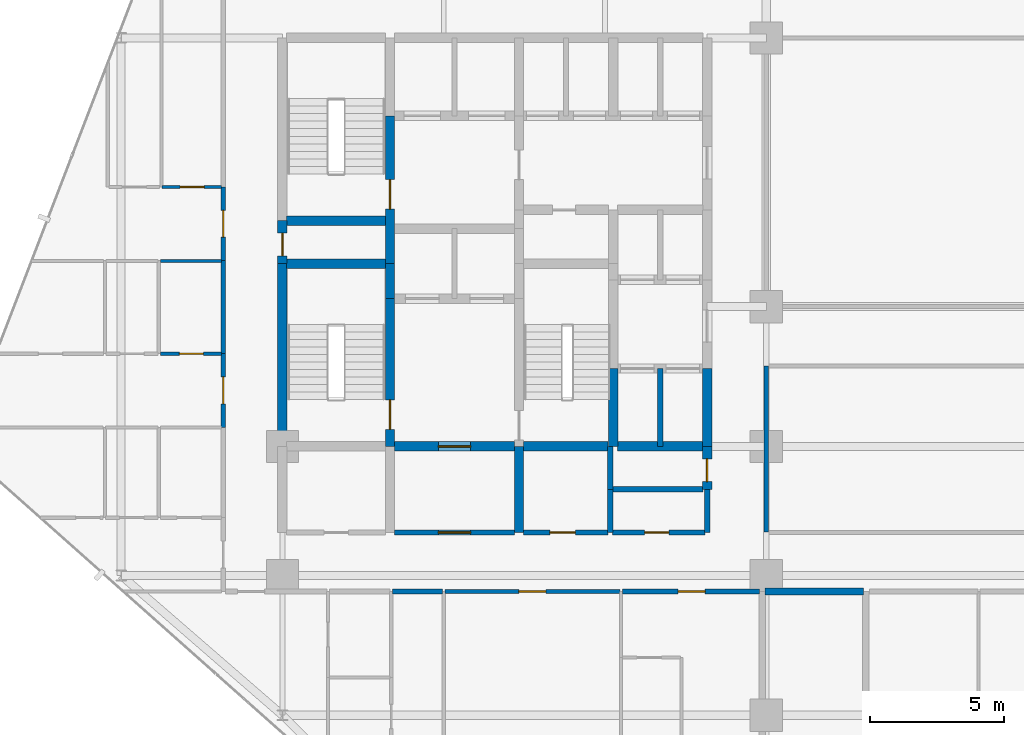
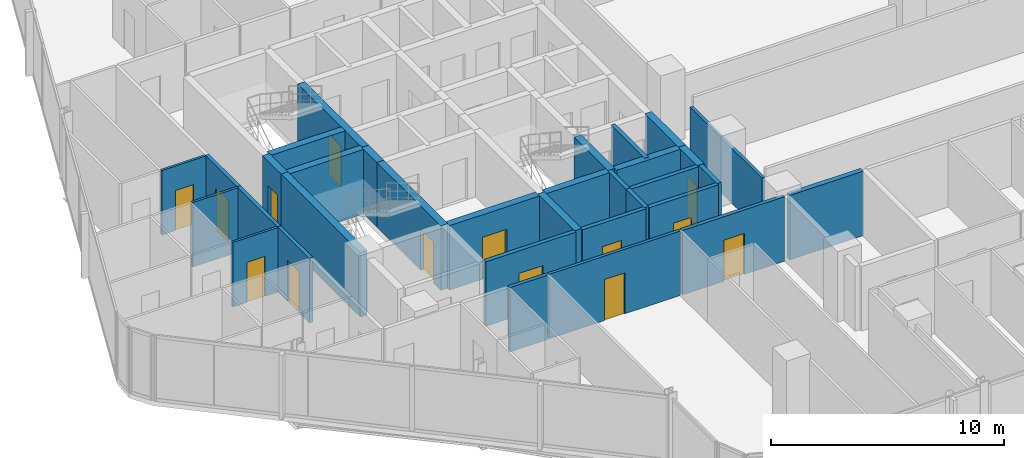
# One storey, part 27 of 34: 33 walls, 14 doors, 14 openings.
"""IFC4 building model written with IfcOpenShell, lengths in metres."""

from ifc_helpers import new_model, si_unit, direction, frame, frame_2d, origin, place, context, subcontext, project, spatial, rectangle, extrude, material, layer, layer_set, type_object, element, fill, save


model = new_model("IFC4")

# Units and contexts
model_context = context("Model", 3, precision=1e-05, world=origin(), true_north=direction((0.0, 1.0)))
body_context = subcontext(model_context, "Body", "Model", "MODEL_VIEW")
ifc_project = project(units=[si_unit("LENGTHUNIT", "METRE"), si_unit("AREAUNIT", "SQUARE_METRE"), si_unit("VOLUMEUNIT", "CUBIC_METRE"), si_unit("PLANEANGLEUNIT", "RADIAN"), si_unit("MASSUNIT", "GRAM", prefix="KILO")], contexts=[model_context])

# Site, building, storey
site_placement = place(None, origin())
site = spatial("IfcSite", under=ifc_project, at=site_placement, CompositionType="ELEMENT")
building_placement = place(site_placement, origin())
building = spatial("IfcBuilding", under=site, at=building_placement, Name="Keshet Zoharim Tower", CompositionType="ELEMENT")
storey_placement = place(building_placement, frame((0.0, 0.0, 53.60009765625)))
storey = spatial("IfcBuildingStorey", under=building, at=storey_placement, Name="L12", CompositionType="ELEMENT", Elevation=53.60009765625)

# Wall
ifc_material_1 = material(Name="Gypsum Plasterboard", Category="gypsum")
ifc_layer_1 = layer(ifc_material_1, 0.14990234375)
ifc_layer_set_1 = layer_set([ifc_layer_1], Name="Gypsum Plasterboard")
wall_type_1 = type_object("IfcWallType", Name="WL-CLIN-150", PredefinedType="STANDARD", material=ifc_layer_set_1)
wall_1_placement = place(storey_placement, frame((33.0, 19.510009765625, 0.0), z_axis=(0.0, 0.0, 1.0), x_axis=(0.0, 1.0, 0.0)))
element("IfcWall", 1, at=wall_1_placement, inside=storey, type_object=wall_type_1, Name="L12 Interior Wall 075", PredefinedType="STANDARD", context=body_context, shape_type="SweptSolid", body=[
    extrude(rectangle(XDim=6.179931640625, YDim=0.14990234375, at=frame_2d((3.08984375, 0.0))), origin(), (0.0, 0.0, 1.0), 2.885009765625),
])

# Wall, opening, door
wall_2_placement = place(storey_placement, frame((21.044921875, 17.300048828125, 0.0), z_axis=(0.0, 0.0, 1.0), x_axis=(1.0, 0.0, 0.0)))
wall_2 = element("IfcWall", 2, at=wall_2_placement, inside=storey, type_object=wall_type_1, Name="L12 Interior Wall 151", PredefinedType="STANDARD", context=body_context, shape_type="SweptSolid", body=[
    extrude(rectangle(XDim=6.510009765625, YDim=0.14990234375, at=frame_2d((3.2548828125, 0.0))), origin(), (0.0, 0.0, 1.0), 3.385009765625),
])
opening_1_placement = place(wall_2_placement, frame((2.7548828125, 0.0, 0.0)))
opening_1 = element("IfcOpeningElement", 3, at=opening_1_placement, cuts=wall_2, Name="Opening D-F310", PredefinedType="OPENING", context=body_context, shape_type="SweptSolid", body=[
    extrude(rectangle(XDim=1.0, YDim=2.14990234375, at=frame_2d((0.5, 1.074951171875))), frame((0.0, 0.0849609375, 0.0), z_axis=(0.0, -1.0, 0.0), x_axis=(1.0, 0.0, 0.0)), (0.0, 0.0, 1.0), 0.169921875),
])
ifc_material_2 = material(Name="Hardwood Timber", Category="wood")
door_type_1 = type_object("IfcDoorType", Name="DR-FD30-100", OperationType="NOTDEFINED", PredefinedType="DOOR", material=ifc_material_2)
door_1_placement = place(opening_1_placement, origin())
door_1 = element("IfcDoor", 4, at=door_1_placement, inside=storey, type_object=door_type_1, Name="L12 Floor Children Playroom Door", OperationType="SINGLE_SWING_RIGHT", OverallHeight=2.14990234375, OverallWidth=1.0, PredefinedType="DOOR", context=body_context, shape_type="SweptSolid", body=[
    extrude(rectangle(XDim=1.0, YDim=2.14990234375, at=frame_2d((0.5, 1.074951171875))), frame((0.0, 0.02490234375, 0.0), z_axis=(0.0, -1.0, 0.0), x_axis=(1.0, 0.0, 0.0)), (0.0, 0.0, 1.0), 0.050048828125),
])
fill(opening_1, door_1)

# Wall
ifc_material_3 = material(Name="Concrete C60/75", Category="concrete")
ifc_layer_2 = layer(ifc_material_3, 0.35009765625)
ifc_layer_set_2 = layer_set([ifc_layer_2], Name="Concrete C60/75")
wall_type_2 = type_object("IfcWallType", Name="WL-CORE-350", PredefinedType="SHEAR", material=ifc_layer_set_2)
wall_3_placement = place(storey_placement, frame((15.0, 22.699951171875, 0.0), z_axis=(0.0, 0.0, 1.0), x_axis=(0.0, 1.0, 0.0)))
element("IfcWall", 5, at=wall_3_placement, inside=storey, type_object=wall_type_2, Name="L12 Core Shear Wall 014", PredefinedType="SHEAR", context=body_context, shape_type="SweptSolid", body=[
    extrude(rectangle(XDim=6.800048828125, YDim=0.35009765625, at=frame_2d((3.39990234375, 0.0))), origin(), (0.0, 0.0, 1.0), 3.385009765625),
])

# Wall, opening, door
wall_4_placement = place(storey_placement, frame((15.0, 29.5, 0.0), z_axis=(0.0, 0.0, 1.0), x_axis=(0.0, 1.0, 0.0)))
wall_4 = element("IfcWall", 6, at=wall_4_placement, inside=storey, type_object=wall_type_2, Name="L12 Core Shear Wall 015", PredefinedType="SHEAR", context=body_context, shape_type="SweptSolid", body=[
    extrude(rectangle(XDim=1.60009765625, YDim=0.35009765625, at=frame_2d((0.800048828125, 0.0))), origin(), (0.0, 0.0, 1.0), 3.385009765625),
])
opening_2_placement = place(wall_4_placement, frame((0.287109375, 0.0, 0.0)))
opening_2 = element("IfcOpeningElement", 7, at=opening_2_placement, cuts=wall_4, Name="Opening D-RS85", PredefinedType="OPENING", context=body_context, shape_type="SweptSolid", body=[
    extrude(rectangle(XDim=0.85009765625, YDim=2.10009765625, at=frame_2d((0.425048828125, 1.050048828125))), frame((0.0, 0.18505859375, 0.0), z_axis=(0.0, -1.0, 0.0), x_axis=(1.0, 0.0, 0.0)), (0.0, 0.0, 1.0), 0.3701171875),
])
door_type_2 = type_object("IfcDoorType", Name="DR-RIS-085", OperationType="NOTDEFINED", PredefinedType="DOOR", material=ifc_material_2)
door_2_placement = place(opening_2_placement, origin())
door_2 = element("IfcDoor", 8, at=door_2_placement, inside=storey, type_object=door_type_2, Name="L12 Electrical Riser Access Cupboard Door", OperationType="SINGLE_SWING_RIGHT", OverallHeight=2.10009765625, OverallWidth=0.85009765625, PredefinedType="DOOR", context=body_context, shape_type="SweptSolid", body=[
    extrude(rectangle(XDim=0.85009765625, YDim=2.10009765625, at=frame_2d((0.425048828125, 1.050048828125))), frame((0.0, 0.02490234375, 0.0), z_axis=(0.0, -1.0, 0.0), x_axis=(1.0, 0.0, 0.0)), (0.0, 0.0, 1.0), 0.050048828125),
])
fill(opening_2, door_2)

wall_5_placement = place(storey_placement, frame((19.0, 22.699951171875, 0.0), z_axis=(0.0, 0.0, 1.0), x_axis=(0.0, 1.0, 0.0)))
wall_5 = element("IfcWall", 9, at=wall_5_placement, inside=storey, type_object=wall_type_2, Name="L12 Core Shear Wall 024", PredefinedType="SHEAR", context=body_context, shape_type="SweptSolid", body=[
    extrude(rectangle(XDim=5.5, YDim=0.35009765625, at=frame_2d((2.75, 0.0))), origin(), (0.0, 0.0, 1.0), 3.385009765625),
])
opening_3_placement = place(wall_5_placement, frame((0.631103515625, 0.0, 0.0)))
opening_3 = element("IfcOpeningElement", 10, at=opening_3_placement, cuts=wall_5, Name="Opening D-F611", PredefinedType="OPENING", context=body_context, shape_type="SweptSolid", body=[
    extrude(rectangle(XDim=1.10009765625, YDim=2.14990234375, at=frame_2d((0.550048828125, 1.074951171875))), frame((0.0, 0.18505859375, 0.0), z_axis=(0.0, -1.0, 0.0), x_axis=(1.0, 0.0, 0.0)), (0.0, 0.0, 1.0), 0.3701171875),
])
door_type_3 = type_object("IfcDoorType", Name="DR-FD60-110", OperationType="NOTDEFINED", PredefinedType="DOOR", material=ifc_material_2)
door_3_placement = place(opening_3_placement, origin())
door_3 = element("IfcDoor", 11, at=door_3_placement, inside=storey, type_object=door_type_3, Name="L12 Exit Stair ST-01 Fire Door", OperationType="SINGLE_SWING_RIGHT", OverallHeight=2.14990234375, OverallWidth=1.10009765625, PredefinedType="DOOR", context=body_context, shape_type="SweptSolid", body=[
    extrude(rectangle(XDim=1.10009765625, YDim=2.14990234375, at=frame_2d((0.550048828125, 1.074951171875))), frame((0.0, 0.02490234375, 0.0), z_axis=(0.0, -1.0, 0.0), x_axis=(1.0, 0.0, 0.0)), (0.0, 0.0, 1.0), 0.050048828125),
])
fill(opening_3, door_3)

# Wall
wall_6_placement = place(storey_placement, frame((19.0, 28.199951171875, 0.0), z_axis=(0.0, 0.0, 1.0), x_axis=(0.0, 1.0, 0.0)))
element("IfcWall", 12, at=wall_6_placement, inside=storey, type_object=wall_type_2, Name="L12 Core Shear Wall 025", PredefinedType="SHEAR", context=body_context, shape_type="SweptSolid", body=[
    extrude(rectangle(XDim=1.300048828125, YDim=0.35009765625, at=frame_2d((0.64990234375, 0.0))), origin(), (0.0, 0.0, 1.0), 3.385009765625),
])

# Wall, opening, door
wall_7_placement = place(storey_placement, frame((19.0, 29.5, 0.0), z_axis=(0.0, 0.0, 1.0), x_axis=(0.0, 1.0, 0.0)))
wall_7 = element("IfcWall", 13, at=wall_7_placement, inside=storey, type_object=wall_type_2, Name="L12 Core Shear Wall 026", PredefinedType="SHEAR", context=body_context, shape_type="SweptSolid", body=[
    extrude(rectangle(XDim=5.5, YDim=0.35009765625, at=frame_2d((2.75, 0.0))), origin(), (0.0, 0.0, 1.0), 3.385009765625),
])
opening_4_placement = place(wall_7_placement, frame((2.02490234375, 0.0, 0.0)))
opening_4 = element("IfcOpeningElement", 14, at=opening_4_placement, cuts=wall_7, Name="Opening D-F611", PredefinedType="OPENING", context=body_context, shape_type="SweptSolid", body=[
    extrude(rectangle(XDim=1.10009765625, YDim=2.14990234375, at=frame_2d((0.550048828125, 1.074951171875))), frame((0.0, 0.18505859375, 0.0), z_axis=(0.0, -1.0, 0.0), x_axis=(1.0, 0.0, 0.0)), (0.0, 0.0, 1.0), 0.3701171875),
])
door_4_placement = place(opening_4_placement, origin())
door_4 = element("IfcDoor", 15, at=door_4_placement, inside=storey, type_object=door_type_3, Name="L12 Exit Stair ST-02 Fire Door", OperationType="SINGLE_SWING_LEFT", OverallHeight=2.14990234375, OverallWidth=1.10009765625, PredefinedType="DOOR", context=body_context, shape_type="SweptSolid", body=[
    extrude(rectangle(XDim=1.10009765625, YDim=2.14990234375, at=frame_2d((0.550048828125, 1.074951171875))), frame((0.0, 0.02490234375, 0.0), z_axis=(0.0, -1.0, 0.0), x_axis=(1.0, 0.0, 0.0)), (0.0, 0.0, 1.0), 0.050048828125),
])
fill(opening_4, door_4)

# Walls
wall_8_placement = place(storey_placement, frame((23.800048828125, 19.5, 0.0), z_axis=(0.0, 0.0, 1.0), x_axis=(0.0, 1.0, 0.0)))
element("IfcWall", 16, at=wall_8_placement, inside=storey, type_object=wall_type_2, Name="L12 Core Shear Wall 034", PredefinedType="SHEAR", context=body_context, shape_type="SweptSolid", body=[
    extrude(rectangle(XDim=3.199951171875, YDim=0.35009765625, at=frame_2d((1.60009765625, 0.0))), origin(), (0.0, 0.0, 1.0), 3.385009765625),
])
wall_9_placement = place(storey_placement, frame((27.300048828125, 22.699951171875, 0.0), z_axis=(0.0, 0.0, 1.0), x_axis=(0.0, 1.0, 0.0)))
element("IfcWall", 17, at=wall_9_placement, inside=storey, type_object=wall_type_2, Name="L12 Core Shear Wall 047", PredefinedType="SHEAR", context=body_context, shape_type="SweptSolid", body=[
    extrude(rectangle(XDim=2.900146484375, YDim=0.35009765625, at=frame_2d((1.4501953125, 0.0))), origin(), (0.0, 0.0, 1.0), 3.385009765625),
])

# Wall, opening, door
wall_10_placement = place(storey_placement, frame((30.800048828125, 21.10009765625, 0.0), z_axis=(0.0, 0.0, 1.0), x_axis=(0.0, 1.0, 0.0)))
wall_10 = element("IfcWall", 18, at=wall_10_placement, inside=storey, type_object=wall_type_2, Name="L12 Core Shear Wall 061", PredefinedType="SHEAR", context=body_context, shape_type="SweptSolid", body=[
    extrude(rectangle(XDim=1.599853515625, YDim=0.35009765625, at=frame_2d((0.7998046875, 0.0))), origin(), (0.0, 0.0, 1.0), 3.385009765625),
])
opening_5_placement = place(wall_10_placement, frame((0.287109375, 0.0, 0.0)))
opening_5 = element("IfcOpeningElement", 19, at=opening_5_placement, cuts=wall_10, Name="Opening D-RS85", PredefinedType="OPENING", context=body_context, shape_type="SweptSolid", body=[
    extrude(rectangle(XDim=0.85009765625, YDim=2.10009765625, at=frame_2d((0.425048828125, 1.050048828125))), frame((0.0, 0.18505859375, 0.0), z_axis=(0.0, -1.0, 0.0), x_axis=(1.0, 0.0, 0.0)), (0.0, 0.0, 1.0), 0.3701171875),
])
door_5_placement = place(opening_5_placement, origin())
door_5 = element("IfcDoor", 20, at=door_5_placement, inside=storey, type_object=door_type_2, Name="L12 Linen Store Door", OperationType="SINGLE_SWING_LEFT", OverallHeight=2.10009765625, OverallWidth=0.85009765625, PredefinedType="DOOR", context=body_context, shape_type="SweptSolid", body=[
    extrude(rectangle(XDim=0.85009765625, YDim=2.10009765625, at=frame_2d((0.425048828125, 1.050048828125))), frame((0.0, 0.02490234375, 0.0), z_axis=(0.0, -1.0, 0.0), x_axis=(1.0, 0.0, 0.0)), (0.0, 0.0, 1.0), 0.050048828125),
])
fill(opening_5, door_5)

# Wall
wall_11_placement = place(storey_placement, frame((30.800048828125, 22.699951171875, 0.0), z_axis=(0.0, 0.0, 1.0), x_axis=(0.0, 1.0, 0.0)))
element("IfcWall", 21, at=wall_11_placement, inside=storey, type_object=wall_type_2, Name="L12 Core Shear Wall 062", PredefinedType="SHEAR", context=body_context, shape_type="SweptSolid", body=[
    extrude(rectangle(XDim=2.900146484375, YDim=0.35009765625, at=frame_2d((1.4501953125, 0.0))), origin(), (0.0, 0.0, 1.0), 3.385009765625),
])

# Wall, opening, door
wall_12_placement = place(storey_placement, frame((19.159912109375, 22.699951171875, 0.0), z_axis=(0.0, 0.0, 1.0), x_axis=(1.0, 0.0, 0.0)))
wall_12 = element("IfcWall", 22, at=wall_12_placement, inside=storey, type_object=wall_type_2, Name="L12 Core Shear Wall 175", PredefinedType="SHEAR", context=body_context, shape_type="SweptSolid", body=[
    extrude(rectangle(XDim=4.47998046875, YDim=0.35009765625, at=frame_2d((2.239990234375, 0.0))), origin(), (0.0, 0.0, 1.0), 3.385009765625),
])
opening_6_placement = place(wall_12_placement, frame((1.639892578125, 0.0, 0.0)))
opening_6 = element("IfcOpeningElement", 23, at=opening_6_placement, cuts=wall_12, Name="Opening D-F612", PredefinedType="OPENING", context=body_context, shape_type="SweptSolid", body=[
    extrude(rectangle(XDim=1.199951171875, YDim=2.199951171875, at=frame_2d((0.60009765625, 1.10009765625))), frame((0.0, 0.18505859375, 0.0), z_axis=(0.0, -1.0, 0.0), x_axis=(1.0, 0.0, 0.0)), (0.0, 0.0, 1.0), 0.3701171875),
])
door_type_4 = type_object("IfcDoorType", Name="DR-FD60-120", OperationType="NOTDEFINED", PredefinedType="DOOR", material=ifc_material_2)
door_6_placement = place(opening_6_placement, origin())
door_6 = element("IfcDoor", 24, at=door_6_placement, inside=storey, type_object=door_type_4, Name="L12 South Core Lobby Fire Door", OperationType="SINGLE_SWING_RIGHT", OverallHeight=2.199951171875, OverallWidth=1.199951171875, PredefinedType="DOOR", context=body_context, shape_type="SweptSolid", body=[
    extrude(rectangle(XDim=1.199951171875, YDim=2.199951171875, at=frame_2d((0.60009765625, 1.10009765625))), frame((0.0, 0.02490234375, 0.0), z_axis=(0.0, -1.0, 0.0), x_axis=(1.0, 0.0, 0.0)), (0.0, 0.0, 1.0), 0.050048828125),
])
fill(opening_6, door_6)

# Walls
wall_13_placement = place(storey_placement, frame((23.9599609375, 22.699951171875, 0.0), z_axis=(0.0, 0.0, 1.0), x_axis=(1.0, 0.0, 0.0)))
element("IfcWall", 25, at=wall_13_placement, inside=storey, type_object=wall_type_2, Name="L12 Core Shear Wall 176", PredefinedType="SHEAR", context=body_context, shape_type="SweptSolid", body=[
    extrude(rectangle(XDim=3.155029296875, YDim=0.35009765625, at=frame_2d((1.57763671875, 0.0))), origin(), (0.0, 0.0, 1.0), 3.385009765625),
])
wall_14_placement = place(storey_placement, frame((27.4599609375, 22.699951171875, 0.0), z_axis=(0.0, 0.0, 1.0), x_axis=(1.0, 0.0, 0.0)))
element("IfcWall", 26, at=wall_14_placement, inside=storey, type_object=wall_type_2, Name="L12 Core Shear Wall 177", PredefinedType="SHEAR", context=body_context, shape_type="SweptSolid", body=[
    extrude(rectangle(XDim=3.179931640625, YDim=0.35009765625, at=frame_2d((1.58984375, 0.0))), origin(), (0.0, 0.0, 1.0), 3.385009765625),
])
for number, where, z_axis, x_axis, name in (
    (27, (15.159912109375, 29.5, 0.0), (0.0, 0.0, 1.0), (1.0, 0.0, 0.0), "L12 Core Shear Wall 189"),
    (28, (15.159912109375, 31.10009765625, 0.0), (0.0, 0.0, 1.0), (1.0, 0.0, 0.0), "L12 Core Shear Wall 195"),
):
    element("IfcWall", number, at=place(storey_placement, frame(where, z_axis=z_axis, x_axis=x_axis)), inside=storey, type_object=wall_type_2, Name=name, PredefinedType="SHEAR", context=body_context, shape_type="SweptSolid", body=[
        extrude(rectangle(XDim=3.68017578125, YDim=0.35009765625, at=frame_2d((1.840087890625, 0.0))), origin(), (0.0, 0.0, 1.0), 3.385009765625),
    ])

# Wall, opening, door
ifc_layer_3 = layer(ifc_material_1, 0.179931640625)
ifc_layer_set_3 = layer_set([ifc_layer_3], Name="Gypsum Plasterboard")
wall_type_3 = type_object("IfcWallType", Name="WL-CORR-180", PredefinedType="STANDARD", material=ifc_layer_set_3)
wall_15_placement = place(storey_placement, frame((12.800048828125, 23.409912109375, 0.0), z_axis=(0.0, 0.0, 1.0), x_axis=(0.0, 1.0, 0.0)))
wall_15 = element("IfcWall", 29, at=wall_15_placement, inside=storey, type_object=wall_type_3, Name="L12 Interior Wall 009", PredefinedType="STANDARD", context=body_context, shape_type="SweptSolid", body=[
    extrude(rectangle(XDim=2.75, YDim=0.179931640625, at=frame_2d((1.375, 0.0))), origin(), (0.0, 0.0, 1.0), 3.385009765625),
])
opening_7_placement = place(wall_15_placement, frame((0.875, 0.0, 0.0)))
opening_7 = element("IfcOpeningElement", 30, at=opening_7_placement, cuts=wall_15, Name="Opening D-F310", PredefinedType="OPENING", context=body_context, shape_type="SweptSolid", body=[
    extrude(rectangle(XDim=1.0, YDim=2.14990234375, at=frame_2d((0.5, 1.074951171875))), frame((0.0, 0.10009765625, 0.0), z_axis=(0.0, -1.0, 0.0), x_axis=(1.0, 0.0, 0.0)), (0.0, 0.0, 1.0), 0.199951171875),
])
door_7_placement = place(opening_7_placement, origin())
door_7 = element("IfcDoor", 31, at=door_7_placement, inside=storey, type_object=door_type_1, Name="Apartment 1210 Entrance Door", OperationType="SINGLE_SWING_RIGHT", OverallHeight=2.14990234375, OverallWidth=1.0, PredefinedType="DOOR", context=body_context, shape_type="SweptSolid", body=[
    extrude(rectangle(XDim=1.0, YDim=2.14990234375, at=frame_2d((0.5, 1.074951171875))), frame((0.0, 0.02490234375, 0.0), z_axis=(0.0, -1.0, 0.0), x_axis=(1.0, 0.0, 0.0)), (0.0, 0.0, 1.0), 0.050048828125),
])
fill(opening_7, door_7)

# Wall
wall_16_placement = place(storey_placement, frame((12.800048828125, 26.159912109375, 0.0), z_axis=(0.0, 0.0, 1.0), x_axis=(0.0, 1.0, 0.0)))
element("IfcWall", 32, at=wall_16_placement, inside=storey, type_object=wall_type_3, Name="L12 Interior Wall 010", PredefinedType="STANDARD", context=body_context, shape_type="SweptSolid", body=[
    extrude(rectangle(XDim=3.4501953125, YDim=0.179931640625, at=frame_2d((1.72509765625, 0.0))), origin(), (0.0, 0.0, 1.0), 3.385009765625),
])

# Wall, opening, door
wall_17_placement = place(storey_placement, frame((12.800048828125, 29.610107421875, 0.0), z_axis=(0.0, 0.0, 1.0), x_axis=(0.0, 1.0, 0.0)))
wall_17 = element("IfcWall", 33, at=wall_17_placement, inside=storey, type_object=wall_type_3, Name="L12 Interior Wall 011", PredefinedType="STANDARD", context=body_context, shape_type="SweptSolid", body=[
    extrude(rectangle(XDim=2.75, YDim=0.179931640625, at=frame_2d((1.375, 0.0))), origin(), (0.0, 0.0, 1.0), 3.385009765625),
])
opening_8_placement = place(wall_17_placement, frame((0.875, 0.0, 0.0)))
opening_8 = element("IfcOpeningElement", 34, at=opening_8_placement, cuts=wall_17, Name="Opening D-F310", PredefinedType="OPENING", context=body_context, shape_type="SweptSolid", body=[
    extrude(rectangle(XDim=1.0, YDim=2.14990234375, at=frame_2d((0.5, 1.074951171875))), frame((0.0, 0.10009765625, 0.0), z_axis=(0.0, -1.0, 0.0), x_axis=(1.0, 0.0, 0.0)), (0.0, 0.0, 1.0), 0.199951171875),
])
door_8_placement = place(opening_8_placement, origin())
door_8 = element("IfcDoor", 35, at=door_8_placement, inside=storey, type_object=door_type_1, Name="Apartment 1211 Entrance Door", OperationType="SINGLE_SWING_LEFT", OverallHeight=2.14990234375, OverallWidth=1.0, PredefinedType="DOOR", context=body_context, shape_type="SweptSolid", body=[
    extrude(rectangle(XDim=1.0, YDim=2.14990234375, at=frame_2d((0.5, 1.074951171875))), frame((0.0, 0.02490234375, 0.0), z_axis=(0.0, -1.0, 0.0), x_axis=(1.0, 0.0, 0.0)), (0.0, 0.0, 1.0), 0.050048828125),
])
fill(opening_8, door_8)

# Wall
wall_18_placement = place(storey_placement, frame((19.094970703125, 17.300048828125, 0.0), z_axis=(0.0, 0.0, 1.0), x_axis=(1.0, 0.0, 0.0)))
element("IfcWall", 36, at=wall_18_placement, inside=storey, type_object=wall_type_3, Name="L12 Interior Wall 150", PredefinedType="STANDARD", context=body_context, shape_type="SweptSolid", body=[
    extrude(rectangle(XDim=1.860107421875, YDim=0.179931640625, at=frame_2d((0.93017578125, 0.0))), origin(), (0.0, 0.0, 1.0), 3.385009765625),
])

# Wall, opening, door
wall_19_placement = place(storey_placement, frame((27.64501953125, 17.300048828125, 0.0), z_axis=(0.0, 0.0, 1.0), x_axis=(1.0, 0.0, 0.0)))
wall_19 = element("IfcWall", 37, at=wall_19_placement, inside=storey, type_object=wall_type_3, Name="L12 Interior Wall 152", PredefinedType="STANDARD", context=body_context, shape_type="SweptSolid", body=[
    extrude(rectangle(XDim=5.094970703125, YDim=0.179931640625, at=frame_2d((2.54736328125, 0.0))), origin(), (0.0, 0.0, 1.0), 3.385009765625),
])
opening_9_placement = place(wall_19_placement, frame((2.080078125, 0.0, 0.0)))
opening_9 = element("IfcOpeningElement", 38, at=opening_9_placement, cuts=wall_19, Name="Opening D-F310", PredefinedType="OPENING", context=body_context, shape_type="SweptSolid", body=[
    extrude(rectangle(XDim=1.0, YDim=2.14990234375, at=frame_2d((0.5, 1.074951171875))), frame((0.0, 0.10009765625, 0.0), z_axis=(0.0, -1.0, 0.0), x_axis=(1.0, 0.0, 0.0)), (0.0, 0.0, 1.0), 0.199951171875),
])
door_9_placement = place(opening_9_placement, origin())
door_9 = element("IfcDoor", 39, at=door_9_placement, inside=storey, type_object=door_type_1, Name="Apartment 1202 Entrance Door", OperationType="SINGLE_SWING_LEFT", OverallHeight=2.14990234375, OverallWidth=1.0, PredefinedType="DOOR", context=body_context, shape_type="SweptSolid", body=[
    extrude(rectangle(XDim=1.0, YDim=2.14990234375, at=frame_2d((0.5, 1.074951171875))), frame((0.0, 0.02490234375, 0.0), z_axis=(0.0, -1.0, 0.0), x_axis=(1.0, 0.0, 0.0)), (0.0, 0.0, 1.0), 0.050048828125),
])
fill(opening_9, door_9)

# Walls
ifc_material_4 = material(Name="Concrete C50/60", Category="concrete")
ifc_layer_4 = layer(ifc_material_4, 0.199951171875)
ifc_layer_set_4 = layer_set([ifc_layer_4], Name="Concrete C50/60")
wall_type_4 = type_object("IfcWallType", Name="WL-FIRE-200", PredefinedType="STANDARD", material=ifc_layer_set_4)
wall_20_placement = place(storey_placement, frame((27.199951171875, 19.5, 0.0), z_axis=(0.0, 0.0, 1.0), x_axis=(0.0, 1.0, 0.0)))
element("IfcWall", 40, at=wall_20_placement, inside=storey, type_object=wall_type_4, Name="L12 Interior Wall 045", PredefinedType="STANDARD", context=body_context, shape_type="SweptSolid", body=[
    extrude(rectangle(XDim=1.60009765625, YDim=0.199951171875, at=frame_2d((0.800048828125, 0.0))), origin(), (0.0, 0.0, 1.0), 3.385009765625),
])
wall_21_placement = place(storey_placement, frame((27.199951171875, 21.10009765625, 0.0), z_axis=(0.0, 0.0, 1.0), x_axis=(0.0, 1.0, 0.0)))
element("IfcWall", 41, at=wall_21_placement, inside=storey, type_object=wall_type_4, Name="L12 Interior Wall 046", PredefinedType="STANDARD", context=body_context, shape_type="SweptSolid", body=[
    extrude(rectangle(XDim=1.599853515625, YDim=0.199951171875, at=frame_2d((0.7998046875, 0.0))), origin(), (0.0, 0.0, 1.0), 3.385009765625),
])
wall_22_placement = place(storey_placement, frame((29.050048828125, 22.699951171875, 0.0), z_axis=(0.0, 0.0, 1.0), x_axis=(0.0, 1.0, 0.0)))
element("IfcWall", 42, at=wall_22_placement, inside=storey, type_object=wall_type_4, Name="L12 Interior Wall 055", PredefinedType="STANDARD", context=body_context, shape_type="SweptSolid", body=[
    extrude(rectangle(XDim=2.900146484375, YDim=0.199951171875, at=frame_2d((1.4501953125, 0.0))), origin(), (0.0, 0.0, 1.0), 3.385009765625),
])
wall_23_placement = place(storey_placement, frame((30.800048828125, 19.5, 0.0), z_axis=(0.0, 0.0, 1.0), x_axis=(0.0, 1.0, 0.0)))
element("IfcWall", 43, at=wall_23_placement, inside=storey, type_object=wall_type_4, Name="L12 Interior Wall 060", PredefinedType="STANDARD", context=body_context, shape_type="SweptSolid", body=[
    extrude(rectangle(XDim=1.60009765625, YDim=0.199951171875, at=frame_2d((0.800048828125, 0.0))), origin(), (0.0, 0.0, 1.0), 3.385009765625),
])

# Wall, opening, door
wall_24_placement = place(storey_placement, frame((19.159912109375, 19.5, 0.0), z_axis=(0.0, 0.0, 1.0), x_axis=(1.0, 0.0, 0.0)))
wall_24 = element("IfcWall", 44, at=wall_24_placement, inside=storey, type_object=wall_type_4, Name="L12 Interior Wall 166", PredefinedType="STANDARD", context=body_context, shape_type="SweptSolid", body=[
    extrude(rectangle(XDim=4.47998046875, YDim=0.199951171875, at=frame_2d((2.239990234375, 0.0))), origin(), (0.0, 0.0, 1.0), 3.385009765625),
])
opening_10_placement = place(wall_24_placement, frame((1.639892578125, 0.0, 0.0)))
opening_10 = element("IfcOpeningElement", 45, at=opening_10_placement, cuts=wall_24, Name="Opening D-F612", PredefinedType="OPENING", context=body_context, shape_type="SweptSolid", body=[
    extrude(rectangle(XDim=1.199951171875, YDim=2.199951171875, at=frame_2d((0.60009765625, 1.10009765625))), frame((0.0, 0.10986328125, 0.0), z_axis=(0.0, -1.0, 0.0), x_axis=(1.0, 0.0, 0.0)), (0.0, 0.0, 1.0), 0.219970703125),
])
door_10_placement = place(opening_10_placement, origin())
door_10 = element("IfcDoor", 46, at=door_10_placement, inside=storey, type_object=door_type_4, Name="L12 South Vestibule Corridor Door", OperationType="SINGLE_SWING_LEFT", OverallHeight=2.199951171875, OverallWidth=1.199951171875, PredefinedType="DOOR", context=body_context, shape_type="SweptSolid", body=[
    extrude(rectangle(XDim=1.199951171875, YDim=2.199951171875, at=frame_2d((0.60009765625, 1.10009765625))), frame((0.0, 0.02490234375, 0.0), z_axis=(0.0, -1.0, 0.0), x_axis=(1.0, 0.0, 0.0)), (0.0, 0.0, 1.0), 0.050048828125),
])
fill(opening_10, door_10)

wall_25_placement = place(storey_placement, frame((23.9599609375, 19.5, 0.0), z_axis=(0.0, 0.0, 1.0), x_axis=(1.0, 0.0, 0.0)))
wall_25 = element("IfcWall", 47, at=wall_25_placement, inside=storey, type_object=wall_type_4, Name="L12 Interior Wall 167", PredefinedType="STANDARD", context=body_context, shape_type="SweptSolid", body=[
    extrude(rectangle(XDim=3.155029296875, YDim=0.199951171875, at=frame_2d((1.57763671875, 0.0))), origin(), (0.0, 0.0, 1.0), 3.385009765625),
])
opening_11_placement = place(wall_25_placement, frame((0.990966796875, 0.0, 0.0)))
opening_11 = element("IfcOpeningElement", 48, at=opening_11_placement, cuts=wall_25, Name="Opening D-F695", PredefinedType="OPENING", context=body_context, shape_type="SweptSolid", body=[
    extrude(rectangle(XDim=0.949951171875, YDim=2.14990234375, at=frame_2d((0.47509765625, 1.074951171875))), frame((0.0, 0.10986328125, 0.0), z_axis=(0.0, -1.0, 0.0), x_axis=(1.0, 0.0, 0.0)), (0.0, 0.0, 1.0), 0.219970703125),
])
door_type_5 = type_object("IfcDoorType", Name="DR-FD60-095", OperationType="NOTDEFINED", PredefinedType="DOOR", material=ifc_material_2)
door_11_placement = place(opening_11_placement, origin())
door_11 = element("IfcDoor", 49, at=door_11_placement, inside=storey, type_object=door_type_5, Name="L12 Utility Room Door", OperationType="SINGLE_SWING_RIGHT", OverallHeight=2.14990234375, OverallWidth=0.949951171875, PredefinedType="DOOR", context=body_context, shape_type="SweptSolid", body=[
    extrude(rectangle(XDim=0.949951171875, YDim=2.14990234375, at=frame_2d((0.47509765625, 1.074951171875))), frame((0.0, 0.02490234375, 0.0), z_axis=(0.0, -1.0, 0.0), x_axis=(1.0, 0.0, 0.0)), (0.0, 0.0, 1.0), 0.050048828125),
])
fill(opening_11, door_11)

wall_26_placement = place(storey_placement, frame((27.284912109375, 19.5, 0.0), z_axis=(0.0, 0.0, 1.0), x_axis=(1.0, 0.0, 0.0)))
wall_26 = element("IfcWall", 50, at=wall_26_placement, inside=storey, type_object=wall_type_4, Name="L12 Interior Wall 168", PredefinedType="STANDARD", context=body_context, shape_type="SweptSolid", body=[
    extrude(rectangle(XDim=3.43017578125, YDim=0.199951171875, at=frame_2d((1.715087890625, 0.0))), origin(), (0.0, 0.0, 1.0), 3.385009765625),
])
opening_12_placement = place(wall_26_placement, frame((1.19189453125, 0.0, 0.0)))
opening_12 = element("IfcOpeningElement", 51, at=opening_12_placement, cuts=wall_26, Name="Opening D-F690", PredefinedType="OPENING", context=body_context, shape_type="SweptSolid", body=[
    extrude(rectangle(XDim=0.89990234375, YDim=2.14990234375, at=frame_2d((0.449951171875, 1.074951171875))), frame((0.0, 0.10986328125, 0.0), z_axis=(0.0, -1.0, 0.0), x_axis=(1.0, 0.0, 0.0)), (0.0, 0.0, 1.0), 0.219970703125),
])
door_type_6 = type_object("IfcDoorType", Name="DR-FD60-090", OperationType="NOTDEFINED", PredefinedType="DOOR", material=ifc_material_2)
door_12_placement = place(opening_12_placement, origin())
door_12 = element("IfcDoor", 52, at=door_12_placement, inside=storey, type_object=door_type_6, Name="L12 Valve Room Door", OperationType="SINGLE_SWING_LEFT", OverallHeight=2.14990234375, OverallWidth=0.89990234375, PredefinedType="DOOR", context=body_context, shape_type="SweptSolid", body=[
    extrude(rectangle(XDim=0.89990234375, YDim=2.14990234375, at=frame_2d((0.449951171875, 1.074951171875))), frame((0.0, 0.02490234375, 0.0), z_axis=(0.0, -1.0, 0.0), x_axis=(1.0, 0.0, 0.0)), (0.0, 0.0, 1.0), 0.050048828125),
])
fill(opening_12, door_12)

# Walls
wall_27_placement = place(storey_placement, frame((27.284912109375, 21.10009765625, 0.0), z_axis=(0.0, 0.0, 1.0), x_axis=(1.0, 0.0, 0.0)))
element("IfcWall", 53, at=wall_27_placement, inside=storey, type_object=wall_type_4, Name="L12 Interior Wall 173", PredefinedType="STANDARD", context=body_context, shape_type="SweptSolid", body=[
    extrude(rectangle(XDim=3.35498046875, YDim=0.199951171875, at=frame_2d((1.677490234375, 0.0))), origin(), (0.0, 0.0, 1.0), 3.385009765625),
])
ifc_layer_5 = layer(ifc_material_4, 0.25)
ifc_layer_set_5 = layer_set([ifc_layer_5], Name="Concrete C50/60")
wall_type_5 = type_object("IfcWallType", Name="WL-MAMAD-250", PredefinedType="STANDARD", material=ifc_layer_set_5)
wall_28_placement = place(storey_placement, frame((32.9599609375, 17.300048828125, 0.0), z_axis=(0.0, 0.0, 1.0), x_axis=(1.0, 0.0, 0.0)))
element("IfcWall", 54, at=wall_28_placement, inside=storey, type_object=wall_type_5, Name="L12 Interior Wall 153", PredefinedType="STANDARD", context=body_context, shape_type="SweptSolid", body=[
    extrude(rectangle(XDim=3.655029296875, YDim=0.25, at=frame_2d((1.82763671875, 0.0))), origin(), (0.0, 0.0, 1.0), 3.385009765625),
])

# Wall, opening, door
ifc_layer_6 = layer(ifc_material_1, 0.1201171875)
ifc_layer_set_6 = layer_set([ifc_layer_6], Name="Gypsum Plasterboard")
wall_type_6 = type_object("IfcWallType", Name="WL-WET-120", PredefinedType="PARTITIONING", material=ifc_layer_set_6)
wall_29_placement = place(storey_placement, frame((10.466064453125, 26.14990234375, 0.0), z_axis=(0.0, 0.0, 1.0), x_axis=(1.0, 0.0, 0.0)))
wall_29 = element("IfcWall", 55, at=wall_29_placement, inside=storey, type_object=wall_type_6, Name="L12 Interior Wall 185", PredefinedType="PARTITIONING", context=body_context, shape_type="SweptSolid", body=[
    extrude(rectangle(XDim=2.259033203125, YDim=0.1201171875, at=frame_2d((1.12939453125, 0.0))), origin(), (0.0, 0.0, 1.0), 3.385009765625),
])
opening_13_placement = place(wall_29_placement, frame((0.695068359375, 0.0, 0.0)))
opening_13 = element("IfcOpeningElement", 56, at=opening_13_placement, cuts=wall_29, Name="Opening D-WT90", PredefinedType="OPENING", context=body_context, shape_type="SweptSolid", body=[
    extrude(rectangle(XDim=0.89990234375, YDim=2.10009765625, at=frame_2d((0.449951171875, 1.050048828125))), frame((0.0, 0.070068359375, 0.0), z_axis=(0.0, -1.0, 0.0), x_axis=(1.0, 0.0, 0.0)), (0.0, 0.0, 1.0), 0.14013671875),
])
door_type_7 = type_object("IfcDoorType", Name="DR-WET-090", OperationType="NOTDEFINED", PredefinedType="DOOR", material=ifc_material_2)
door_13_placement = place(opening_13_placement, origin())
door_13 = element("IfcDoor", 57, at=door_13_placement, inside=storey, type_object=door_type_7, Name="Apartment 1210 Bathroom Door", OperationType="SINGLE_SWING_LEFT", OverallHeight=2.10009765625, OverallWidth=0.89990234375, PredefinedType="DOOR", context=body_context, shape_type="SweptSolid", body=[
    extrude(rectangle(XDim=0.89990234375, YDim=2.10009765625, at=frame_2d((0.449951171875, 1.050048828125))), frame((0.0, 0.02490234375, 0.0), z_axis=(0.0, -1.0, 0.0), x_axis=(1.0, 0.0, 0.0)), (0.0, 0.0, 1.0), 0.050048828125),
])
fill(opening_13, door_13)

# Wall
wall_30_placement = place(storey_placement, frame((10.466064453125, 29.60009765625, 0.0), z_axis=(0.0, 0.0, 1.0), x_axis=(1.0, 0.0, 0.0)))
element("IfcWall", 58, at=wall_30_placement, inside=storey, type_object=wall_type_6, Name="L12 Interior Wall 193", PredefinedType="PARTITIONING", context=body_context, shape_type="SweptSolid", body=[
    extrude(rectangle(XDim=2.259033203125, YDim=0.1201171875, at=frame_2d((1.12939453125, 0.0))), origin(), (0.0, 0.0, 1.0), 3.385009765625),
])

# Wall, opening, door
wall_31_placement = place(storey_placement, frame((10.52294921875, 32.35009765625, 0.0), z_axis=(0.0, 0.0, 1.0), x_axis=(1.0, 0.0, 0.0)))
wall_31 = element("IfcWall", 59, at=wall_31_placement, inside=storey, type_object=wall_type_6, Name="L12 Interior Wall 199", PredefinedType="PARTITIONING", context=body_context, shape_type="SweptSolid", body=[
    extrude(rectangle(XDim=2.2021484375, YDim=0.1201171875, at=frame_2d((1.10107421875, 0.0))), origin(), (0.0, 0.0, 1.0), 3.385009765625),
])
opening_14_placement = place(wall_31_placement, frame((0.666015625, 0.0, 0.0)))
opening_14 = element("IfcOpeningElement", 60, at=opening_14_placement, cuts=wall_31, Name="Opening D-WT90", PredefinedType="OPENING", context=body_context, shape_type="SweptSolid", body=[
    extrude(rectangle(XDim=0.89990234375, YDim=2.10009765625, at=frame_2d((0.449951171875, 1.050048828125))), frame((0.0, 0.070068359375, 0.0), z_axis=(0.0, -1.0, 0.0), x_axis=(1.0, 0.0, 0.0)), (0.0, 0.0, 1.0), 0.14013671875),
])
door_14_placement = place(opening_14_placement, origin())
door_14 = element("IfcDoor", 61, at=door_14_placement, inside=storey, type_object=door_type_7, Name="Apartment 1211 Bathroom Door", OperationType="SINGLE_SWING_LEFT", OverallHeight=2.10009765625, OverallWidth=0.89990234375, PredefinedType="DOOR", context=body_context, shape_type="SweptSolid", body=[
    extrude(rectangle(XDim=0.89990234375, YDim=2.10009765625, at=frame_2d((0.449951171875, 1.050048828125))), frame((0.0, 0.02490234375, 0.0), z_axis=(0.0, -1.0, 0.0), x_axis=(1.0, 0.0, 0.0)), (0.0, 0.0, 1.0), 0.050048828125),
])
fill(opening_14, door_14)

save(model, "model.ifc")
